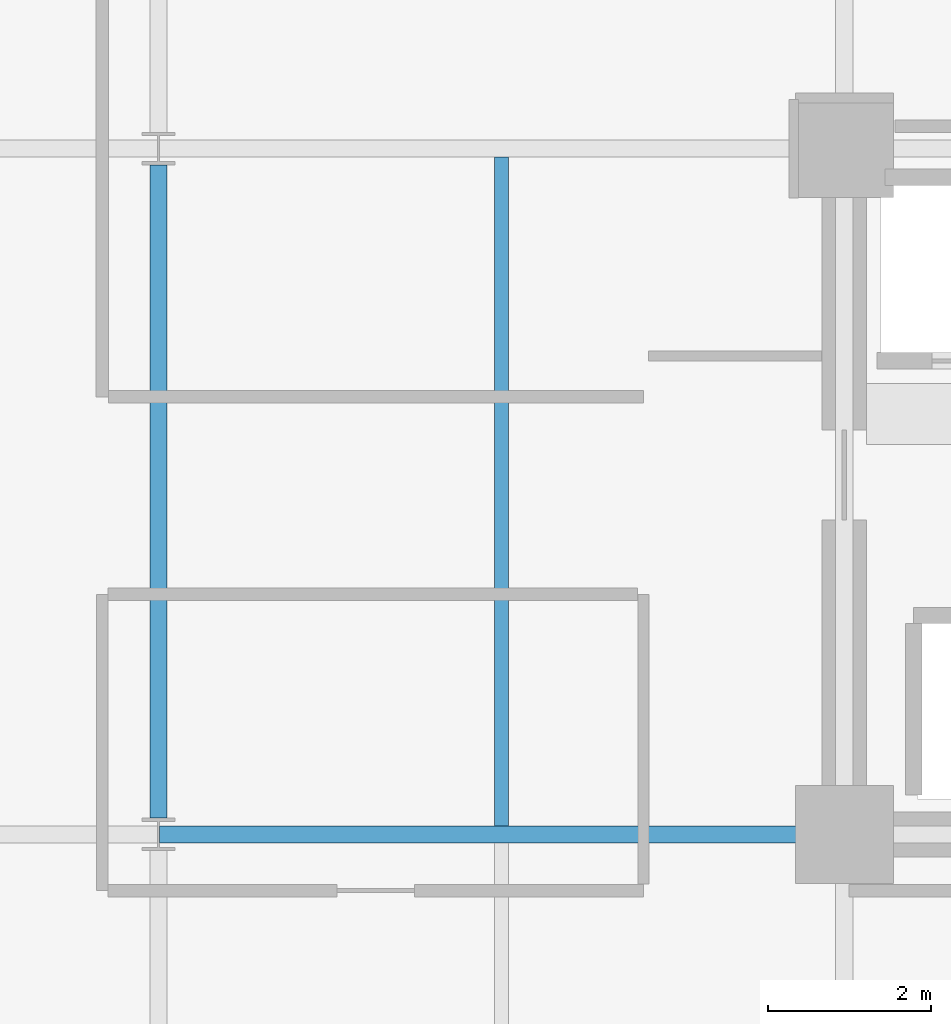
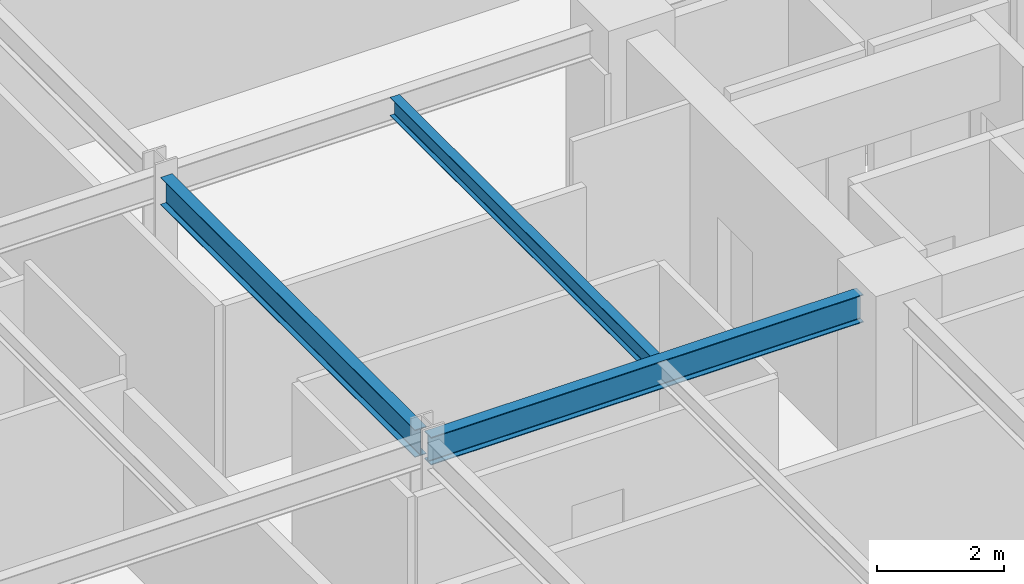
# One storey, part 5 of 29: 3 beams.
"""IFC4 building model written with IfcOpenShell, lengths in metres."""

from ifc_helpers import new_model, si_unit, direction, frame, origin, origin_2d, place, context, subcontext, project, spatial, i_section, extrude, material, material_profile, profile_set, type_object, element, save


model = new_model("IFC4")

# Units and contexts
model_context = context("Model", 3, precision=1e-05, world=origin(), true_north=direction((0.0, 1.0)))
body_context = subcontext(model_context, "Body", "Model", "MODEL_VIEW")
ifc_project = project(units=[si_unit("LENGTHUNIT", "METRE"), si_unit("AREAUNIT", "SQUARE_METRE"), si_unit("VOLUMEUNIT", "CUBIC_METRE"), si_unit("PLANEANGLEUNIT", "RADIAN"), si_unit("MASSUNIT", "GRAM", prefix="KILO")], contexts=[model_context])

# Site, building, storey
site_placement = place(None, origin())
site = spatial("IfcSite", under=ifc_project, at=site_placement, CompositionType="ELEMENT")
building_placement = place(site_placement, origin())
building = spatial("IfcBuilding", under=site, at=building_placement, Name="Nerrivon Quay Data Exchange", CompositionType="ELEMENT")
storey_placement = place(building_placement, frame((0.0, 0.0, 133.60009765625)))
storey = spatial("IfcBuildingStorey", under=building, at=storey_placement, Name="L31", CompositionType="ELEMENT", Elevation=133.60009765625)

# Beams
ifc_material = material(Name="Steel Grade 350", Category="steel")
ifc_material_profile_1 = material_profile(ifc_material, i_section(OverallWidth=0.208984375, OverallDepth=0.532958984375, WebThickness=0.01025390625, FlangeThickness=0.015625, FilletRadius=0.013916015625, at=origin_2d()), Name="530UB92.4")
ifc_profile_set_1 = profile_set([ifc_material_profile_1], Name="Steel Grade 350")
beam_type_1 = type_object("IfcBeamType", Name="BM-G3-530UB92", PredefinedType="BEAM", material=ifc_profile_set_1)
beam_1_placement = place(storey_placement, frame((8.41259765625, 8.39990234375, 3.558349609375), z_axis=(1.0, 0.0, 0.0), x_axis=(0.0, 1.0, 0.0)))
element("IfcBeam", 1, at=beam_1_placement, inside=storey, type_object=beam_type_1, Name="L31 EW Girder Y=8.4 (8.4..16.8)", PredefinedType="BEAM", context=body_context, shape_type="SweptSolid", body=[
    extrude(i_section(OverallWidth=0.208984375, OverallDepth=0.532958984375, WebThickness=0.01025390625, FlangeThickness=0.015625, FilletRadius=0.013916015625, at=origin_2d()), origin(), (0.0, 0.0, 1.0), 7.847412109375),
])
ifc_material_profile_2 = material_profile(ifc_material, i_section(OverallWidth=0.208984375, OverallDepth=0.528076171875, WebThickness=0.009521484375, FlangeThickness=0.01318359375, FilletRadius=0.013916015625, at=origin_2d()), Name="530UB82.0")
ifc_profile_set_2 = profile_set([ifc_material_profile_2], Name="Steel Grade 350")
beam_type_2 = type_object("IfcBeamType", Name="BM-G4-530UB82", PredefinedType="BEAM", material=ifc_profile_set_2)
beam_2_placement = place(storey_placement, frame((8.39990234375, 8.60009765625, 3.560791015625), z_axis=(0.0, 1.0, 0.0), x_axis=(-1.0, 0.0, 0.0)))
element("IfcBeam", 2, at=beam_2_placement, inside=storey, type_object=beam_type_2, Name="L31 NS Girder X=8.4 (8.4..16.8)", PredefinedType="BEAM", context=body_context, shape_type="SweptSolid", body=[
    extrude(i_section(OverallWidth=0.208984375, OverallDepth=0.528076171875, WebThickness=0.009521484375, FlangeThickness=0.01318359375, FilletRadius=0.013916015625, at=origin_2d()), origin(), (0.0, 0.0, 1.0), 8.0),
])
ifc_material_profile_3 = material_profile(ifc_material, i_section(OverallWidth=0.1708984375, OverallDepth=0.35595703125, WebThickness=0.00732421875, FlangeThickness=0.011474609375, FilletRadius=0.011474609375, at=origin_2d()), Name="360UB50.7")
ifc_profile_set_3 = profile_set([ifc_material_profile_3], Name="Steel Grade 350")
beam_type_3 = type_object("IfcBeamType", Name="BM-J4-360UB51", PredefinedType="JOIST", material=ifc_profile_set_3)
beam_3_placement = place(storey_placement, frame((12.60009765625, 8.50439453125, 3.64697265625), z_axis=(0.0, 1.0, 0.0), x_axis=(-1.0, 0.0, 0.0)))
element("IfcBeam", 3, at=beam_3_placement, inside=storey, type_object=beam_type_3, Name="L31 Secondary Joist X=12.6 (8.4..16.8)", PredefinedType="JOIST", context=body_context, shape_type="SweptSolid", body=[
    extrude(i_section(OverallWidth=0.1708984375, OverallDepth=0.35595703125, WebThickness=0.00732421875, FlangeThickness=0.011474609375, FilletRadius=0.011474609375, at=origin_2d()), origin(), (0.0, 0.0, 1.0), 8.191162109375),
])

save(model, "model.ifc")
